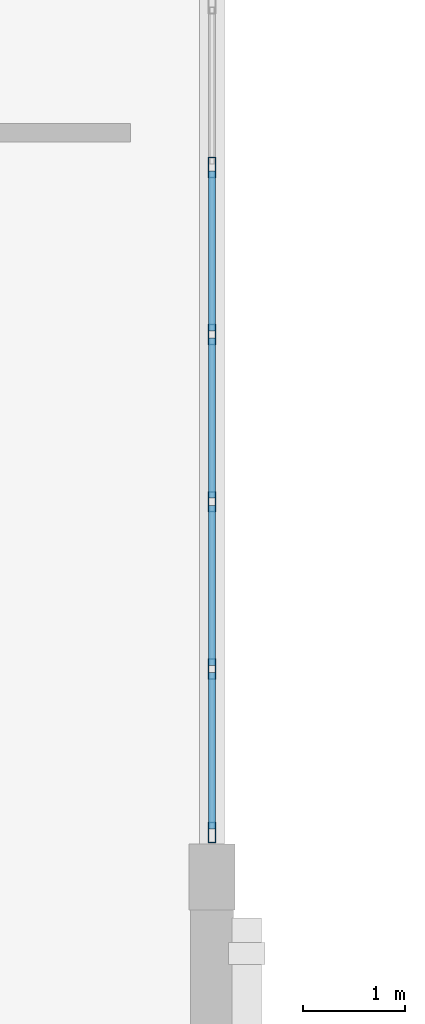
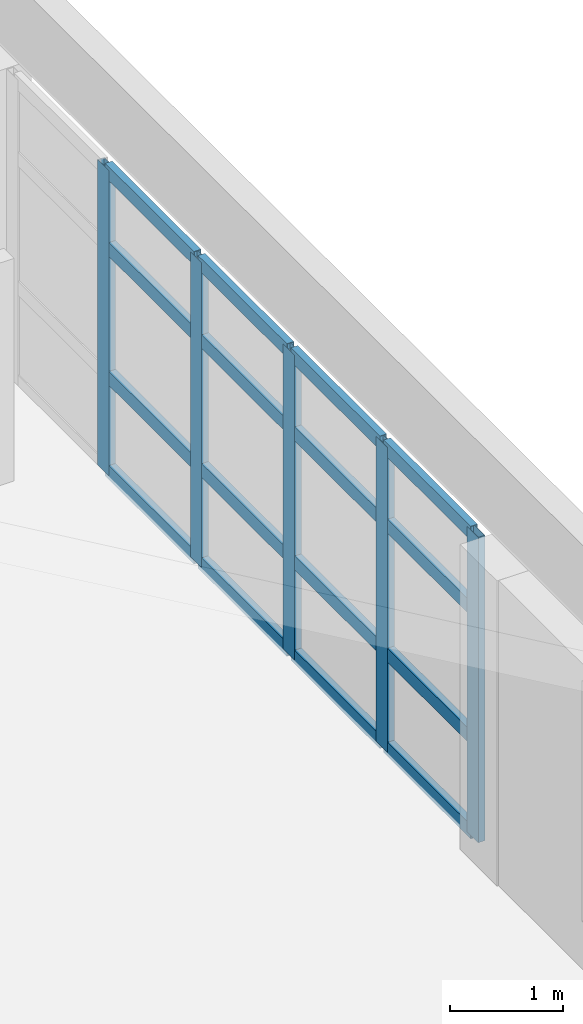
# One storey, part 31 of 80: 21 members, 1 element without a shape of its own.
"""IFC4 building model written with IfcOpenShell, lengths in metres."""

from ifc_helpers import new_model, si_unit, direction, frame, origin, origin_2d, place, context, subcontext, project, spatial, hollow_rectangle, extrude, material, layer, layer_set, material_profile, profile_set, type_object, element, aggregate, save


model = new_model("IFC4")

# Units and contexts
model_context = context("Model", 3, precision=1e-05, world=origin(), true_north=direction((0.0, 1.0)))
body_context = subcontext(model_context, "Body", "Model", "MODEL_VIEW")
ifc_project = project(units=[si_unit("LENGTHUNIT", "METRE"), si_unit("AREAUNIT", "SQUARE_METRE"), si_unit("VOLUMEUNIT", "CUBIC_METRE"), si_unit("PLANEANGLEUNIT", "RADIAN"), si_unit("MASSUNIT", "GRAM", prefix="KILO")], contexts=[model_context])

# Site, building, storey
site_placement = place(None, origin())
site = spatial("IfcSite", under=ifc_project, at=site_placement, CompositionType="ELEMENT")
building_placement = place(site_placement, origin())
building = spatial("IfcBuilding", under=site, at=building_placement, Name="Ornek Quay Market", CompositionType="ELEMENT")
storey_placement = place(building_placement, frame((0.0, 0.0, 8.39990234375)))
storey = spatial("IfcBuildingStorey", under=building, at=storey_placement, Name="L02", CompositionType="ELEMENT", Elevation=8.39990234375)

# Curtain wall, members
ifc_material_1 = material(Name="Anodised bronze aluminium and triple low-e glass", Category="aluminium")
ifc_layer = layer(ifc_material_1, 0.239990234375, Name="Anodised bronze aluminium and triple low-e glass", Category="aluminium")
ifc_layer_set = layer_set([ifc_layer], Name="Anodised bronze aluminium and triple low-e glass")
curtain_wall_type = type_object("IfcCurtainWallType", Name="CW-GAB-MOD1800", PredefinedType="USERDEFINED", material=ifc_layer_set)
curtain_wall_placement = place(storey_placement, origin())
curtain_wall = element("IfcCurtainWall", 1, at=curtain_wall_placement, inside=storey, type_object=curtain_wall_type, Name="Curtain wall CW-062", ObjectType="CURTAIN WALL", PredefinedType="USERDEFINED")
ifc_material_2 = material(Name="Anodised aluminium 6063-T6", Category="aluminium")
ifc_material_profile_1 = material_profile(ifc_material_2, hollow_rectangle(XDim=0.070068359375, YDim=0.199951171875, WallThickness=0.0048828125, at=origin_2d()), Name="CW-MUL-70x200", Category="aluminium")
ifc_profile_set_1 = profile_set([ifc_material_profile_1], Name="Anodised aluminium 6063-T6")
member_type_1 = type_object("IfcMemberType", Name="CW-MUL-70x200", PredefinedType="MULLION", material=ifc_profile_set_1)
member_1_placement = place(storey_placement, frame((125.199951171875, 74.43505859375, 0.0), z_axis=(0.0, 0.0, 1.0), x_axis=(-1.0, 0.0, 0.0)))
member_1 = element("IfcMember", 2, at=member_1_placement, type_object=member_type_1, Name="CW-062 mullion 1", PredefinedType="MULLION", context=body_context, shape_type="SweptSolid", body=[
    extrude(hollow_rectangle(XDim=0.070068359375, YDim=0.199951171875, WallThickness=0.0048828125, at=origin_2d()), origin(), (0.0, 0.0, 1.0), 3.2900390625),
])
member_2_placement = place(storey_placement, frame((125.199951171875, 76.0400390625, 0.0), z_axis=(0.0, 0.0, 1.0), x_axis=(-1.0, 0.0, 0.0)))
member_2 = element("IfcMember", 3, at=member_2_placement, type_object=member_type_1, Name="CW-062 mullion 2", PredefinedType="MULLION", context=body_context, shape_type="SweptSolid", body=[
    extrude(hollow_rectangle(XDim=0.070068359375, YDim=0.199951171875, WallThickness=0.0048828125, at=origin_2d()), origin(), (0.0, 0.0, 1.0), 3.2900390625),
])
member_3_placement = place(storey_placement, frame((125.199951171875, 77.679931640625, 0.0), z_axis=(0.0, 0.0, 1.0), x_axis=(-1.0, 0.0, 0.0)))
member_3 = element("IfcMember", 4, at=member_3_placement, type_object=member_type_1, Name="CW-062 mullion 3", PredefinedType="MULLION", context=body_context, shape_type="SweptSolid", body=[
    extrude(hollow_rectangle(XDim=0.070068359375, YDim=0.199951171875, WallThickness=0.0048828125, at=origin_2d()), origin(), (0.0, 0.0, 1.0), 3.2900390625),
])
member_4_placement = place(storey_placement, frame((125.199951171875, 79.320068359375, 0.0), z_axis=(0.0, 0.0, 1.0), x_axis=(-1.0, 0.0, 0.0)))
member_4 = element("IfcMember", 5, at=member_4_placement, type_object=member_type_1, Name="CW-062 mullion 4", PredefinedType="MULLION", context=body_context, shape_type="SweptSolid", body=[
    extrude(hollow_rectangle(XDim=0.070068359375, YDim=0.199951171875, WallThickness=0.0048828125, at=origin_2d()), origin(), (0.0, 0.0, 1.0), 3.2900390625),
])
member_5_placement = place(storey_placement, frame((125.199951171875, 80.9599609375, 0.0), z_axis=(0.0, 0.0, 1.0), x_axis=(-1.0, 0.0, 0.0)))
member_5 = element("IfcMember", 6, at=member_5_placement, type_object=member_type_1, Name="CW-062 mullion 5", PredefinedType="MULLION", context=body_context, shape_type="SweptSolid", body=[
    extrude(hollow_rectangle(XDim=0.070068359375, YDim=0.199951171875, WallThickness=0.0048828125, at=origin_2d()), origin(), (0.0, 0.0, 1.0), 3.2900390625),
])
ifc_material_profile_2 = material_profile(ifc_material_2, hollow_rectangle(XDim=0.070068359375, YDim=0.14990234375, WallThickness=0.0048828125, at=origin_2d()), Name="CW-TRN-70x150", Category="aluminium")
ifc_profile_set_2 = profile_set([ifc_material_profile_2], Name="Anodised aluminium 6063-T6")
member_type_2 = type_object("IfcMemberType", Name="CW-TRN-70x150", PredefinedType="USERDEFINED", material=ifc_profile_set_2)
member_6_placement = place(storey_placement, frame((125.199951171875, 74.469970703125, 0.03515625), z_axis=(0.0, 1.0, 0.0), x_axis=(-1.0, 0.0, 0.0)))
member_6 = element("IfcMember", 7, at=member_6_placement, type_object=member_type_2, Name="CW-062 transom 1.1", ObjectType="TRANSOM", PredefinedType="USERDEFINED", context=body_context, shape_type="SweptSolid", body=[
    extrude(hollow_rectangle(XDim=0.070068359375, YDim=0.14990234375, WallThickness=0.0048828125, at=origin_2d()), origin(), (0.0, 0.0, 1.0), 1.534912109375),
])
member_7_placement = place(storey_placement, frame((125.199951171875, 74.469970703125, 1.050048828125), z_axis=(0.0, 1.0, 0.0), x_axis=(-1.0, 0.0, 0.0)))
member_7 = element("IfcMember", 8, at=member_7_placement, type_object=member_type_2, Name="CW-062 transom 1.2", ObjectType="TRANSOM", PredefinedType="USERDEFINED", context=body_context, shape_type="SweptSolid", body=[
    extrude(hollow_rectangle(XDim=0.070068359375, YDim=0.14990234375, WallThickness=0.0048828125, at=origin_2d()), origin(), (0.0, 0.0, 1.0), 1.534912109375),
])
member_8_placement = place(storey_placement, frame((125.199951171875, 74.469970703125, 2.440185546875), z_axis=(0.0, 1.0, 0.0), x_axis=(-1.0, 0.0, 0.0)))
member_8 = element("IfcMember", 9, at=member_8_placement, type_object=member_type_2, Name="CW-062 transom 1.3", ObjectType="TRANSOM", PredefinedType="USERDEFINED", context=body_context, shape_type="SweptSolid", body=[
    extrude(hollow_rectangle(XDim=0.070068359375, YDim=0.14990234375, WallThickness=0.0048828125, at=origin_2d()), origin(), (0.0, 0.0, 1.0), 1.534912109375),
])
member_9_placement = place(storey_placement, frame((125.199951171875, 74.469970703125, 3.255126953125), z_axis=(0.0, 1.0, 0.0), x_axis=(-1.0, 0.0, 0.0)))
member_9 = element("IfcMember", 10, at=member_9_placement, type_object=member_type_2, Name="CW-062 transom 1.4", ObjectType="TRANSOM", PredefinedType="USERDEFINED", context=body_context, shape_type="SweptSolid", body=[
    extrude(hollow_rectangle(XDim=0.070068359375, YDim=0.14990234375, WallThickness=0.0048828125, at=origin_2d()), origin(), (0.0, 0.0, 1.0), 1.534912109375),
])
member_10_placement = place(storey_placement, frame((125.199951171875, 76.074951171875, 0.03515625), z_axis=(0.0, 1.0, 0.0), x_axis=(-1.0, 0.0, 0.0)))
member_10 = element("IfcMember", 11, at=member_10_placement, type_object=member_type_2, Name="CW-062 transom 2.1", ObjectType="TRANSOM", PredefinedType="USERDEFINED", context=body_context, shape_type="SweptSolid", body=[
    extrude(hollow_rectangle(XDim=0.070068359375, YDim=0.14990234375, WallThickness=0.0048828125, at=origin_2d()), origin(), (0.0, 0.0, 1.0), 1.570068359375),
])
member_11_placement = place(storey_placement, frame((125.199951171875, 76.074951171875, 1.050048828125), z_axis=(0.0, 1.0, 0.0), x_axis=(-1.0, 0.0, 0.0)))
member_11 = element("IfcMember", 12, at=member_11_placement, type_object=member_type_2, Name="CW-062 transom 2.2", ObjectType="TRANSOM", PredefinedType="USERDEFINED", context=body_context, shape_type="SweptSolid", body=[
    extrude(hollow_rectangle(XDim=0.070068359375, YDim=0.14990234375, WallThickness=0.0048828125, at=origin_2d()), origin(), (0.0, 0.0, 1.0), 1.570068359375),
])
member_12_placement = place(storey_placement, frame((125.199951171875, 76.074951171875, 2.440185546875), z_axis=(0.0, 1.0, 0.0), x_axis=(-1.0, 0.0, 0.0)))
member_12 = element("IfcMember", 13, at=member_12_placement, type_object=member_type_2, Name="CW-062 transom 2.3", ObjectType="TRANSOM", PredefinedType="USERDEFINED", context=body_context, shape_type="SweptSolid", body=[
    extrude(hollow_rectangle(XDim=0.070068359375, YDim=0.14990234375, WallThickness=0.0048828125, at=origin_2d()), origin(), (0.0, 0.0, 1.0), 1.570068359375),
])
member_13_placement = place(storey_placement, frame((125.199951171875, 76.074951171875, 3.255126953125), z_axis=(0.0, 1.0, 0.0), x_axis=(-1.0, 0.0, 0.0)))
member_13 = element("IfcMember", 14, at=member_13_placement, type_object=member_type_2, Name="CW-062 transom 2.4", ObjectType="TRANSOM", PredefinedType="USERDEFINED", context=body_context, shape_type="SweptSolid", body=[
    extrude(hollow_rectangle(XDim=0.070068359375, YDim=0.14990234375, WallThickness=0.0048828125, at=origin_2d()), origin(), (0.0, 0.0, 1.0), 1.570068359375),
])
member_14_placement = place(storey_placement, frame((125.199951171875, 77.715087890625, 0.03515625), z_axis=(0.0, 1.0, 0.0), x_axis=(-1.0, 0.0, 0.0)))
member_14 = element("IfcMember", 15, at=member_14_placement, type_object=member_type_2, Name="CW-062 transom 3.1", ObjectType="TRANSOM", PredefinedType="USERDEFINED", context=body_context, shape_type="SweptSolid", body=[
    extrude(hollow_rectangle(XDim=0.070068359375, YDim=0.14990234375, WallThickness=0.0048828125, at=origin_2d()), origin(), (0.0, 0.0, 1.0), 1.56982421875),
])
member_15_placement = place(storey_placement, frame((125.199951171875, 77.715087890625, 1.050048828125), z_axis=(0.0, 1.0, 0.0), x_axis=(-1.0, 0.0, 0.0)))
member_15 = element("IfcMember", 16, at=member_15_placement, type_object=member_type_2, Name="CW-062 transom 3.2", ObjectType="TRANSOM", PredefinedType="USERDEFINED", context=body_context, shape_type="SweptSolid", body=[
    extrude(hollow_rectangle(XDim=0.070068359375, YDim=0.14990234375, WallThickness=0.0048828125, at=origin_2d()), origin(), (0.0, 0.0, 1.0), 1.56982421875),
])
member_16_placement = place(storey_placement, frame((125.199951171875, 77.715087890625, 2.440185546875), z_axis=(0.0, 1.0, 0.0), x_axis=(-1.0, 0.0, 0.0)))
member_16 = element("IfcMember", 17, at=member_16_placement, type_object=member_type_2, Name="CW-062 transom 3.3", ObjectType="TRANSOM", PredefinedType="USERDEFINED", context=body_context, shape_type="SweptSolid", body=[
    extrude(hollow_rectangle(XDim=0.070068359375, YDim=0.14990234375, WallThickness=0.0048828125, at=origin_2d()), origin(), (0.0, 0.0, 1.0), 1.56982421875),
])
member_17_placement = place(storey_placement, frame((125.199951171875, 77.715087890625, 3.255126953125), z_axis=(0.0, 1.0, 0.0), x_axis=(-1.0, 0.0, 0.0)))
member_17 = element("IfcMember", 18, at=member_17_placement, type_object=member_type_2, Name="CW-062 transom 3.4", ObjectType="TRANSOM", PredefinedType="USERDEFINED", context=body_context, shape_type="SweptSolid", body=[
    extrude(hollow_rectangle(XDim=0.070068359375, YDim=0.14990234375, WallThickness=0.0048828125, at=origin_2d()), origin(), (0.0, 0.0, 1.0), 1.56982421875),
])
member_18_placement = place(storey_placement, frame((125.199951171875, 79.35498046875, 0.03515625), z_axis=(0.0, 1.0, 0.0), x_axis=(-1.0, 0.0, 0.0)))
member_18 = element("IfcMember", 19, at=member_18_placement, type_object=member_type_2, Name="CW-062 transom 4.1", ObjectType="TRANSOM", PredefinedType="USERDEFINED", context=body_context, shape_type="SweptSolid", body=[
    extrude(hollow_rectangle(XDim=0.070068359375, YDim=0.14990234375, WallThickness=0.0048828125, at=origin_2d()), origin(), (0.0, 0.0, 1.0), 1.570068359375),
])
member_19_placement = place(storey_placement, frame((125.199951171875, 79.35498046875, 1.050048828125), z_axis=(0.0, 1.0, 0.0), x_axis=(-1.0, 0.0, 0.0)))
member_19 = element("IfcMember", 20, at=member_19_placement, type_object=member_type_2, Name="CW-062 transom 4.2", ObjectType="TRANSOM", PredefinedType="USERDEFINED", context=body_context, shape_type="SweptSolid", body=[
    extrude(hollow_rectangle(XDim=0.070068359375, YDim=0.14990234375, WallThickness=0.0048828125, at=origin_2d()), origin(), (0.0, 0.0, 1.0), 1.570068359375),
])
member_20_placement = place(storey_placement, frame((125.199951171875, 79.35498046875, 2.440185546875), z_axis=(0.0, 1.0, 0.0), x_axis=(-1.0, 0.0, 0.0)))
member_20 = element("IfcMember", 21, at=member_20_placement, type_object=member_type_2, Name="CW-062 transom 4.3", ObjectType="TRANSOM", PredefinedType="USERDEFINED", context=body_context, shape_type="SweptSolid", body=[
    extrude(hollow_rectangle(XDim=0.070068359375, YDim=0.14990234375, WallThickness=0.0048828125, at=origin_2d()), origin(), (0.0, 0.0, 1.0), 1.570068359375),
])
member_21_placement = place(storey_placement, frame((125.199951171875, 79.35498046875, 3.255126953125), z_axis=(0.0, 1.0, 0.0), x_axis=(-1.0, 0.0, 0.0)))
member_21 = element("IfcMember", 22, at=member_21_placement, type_object=member_type_2, Name="CW-062 transom 4.4", ObjectType="TRANSOM", PredefinedType="USERDEFINED", context=body_context, shape_type="SweptSolid", body=[
    extrude(hollow_rectangle(XDim=0.070068359375, YDim=0.14990234375, WallThickness=0.0048828125, at=origin_2d()), origin(), (0.0, 0.0, 1.0), 1.570068359375),
])
aggregate(curtain_wall, [member_1, member_2, member_3, member_4, member_5, member_6, member_7, member_8, member_9, member_10, member_11, member_12, member_13, member_14, member_15, member_16, member_17, member_18, member_19, member_20, member_21])

save(model, "model.ifc")
